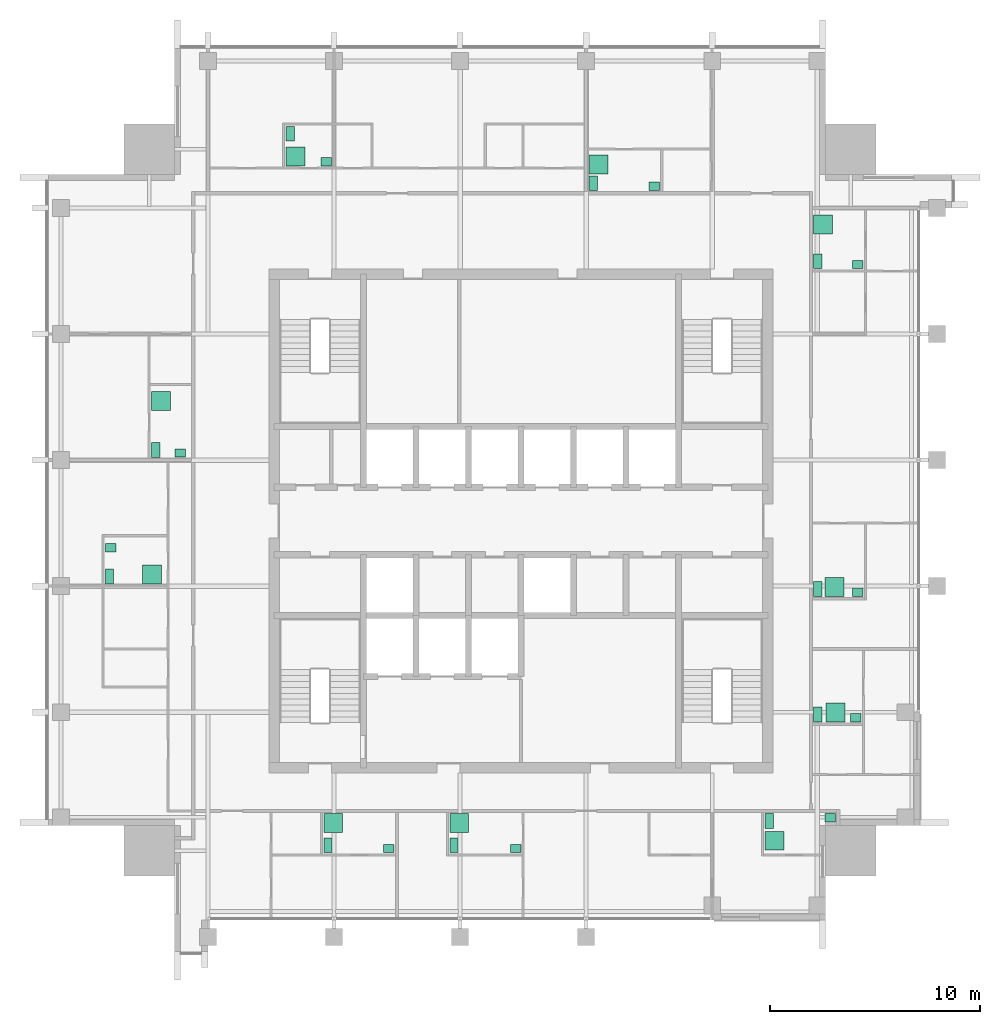
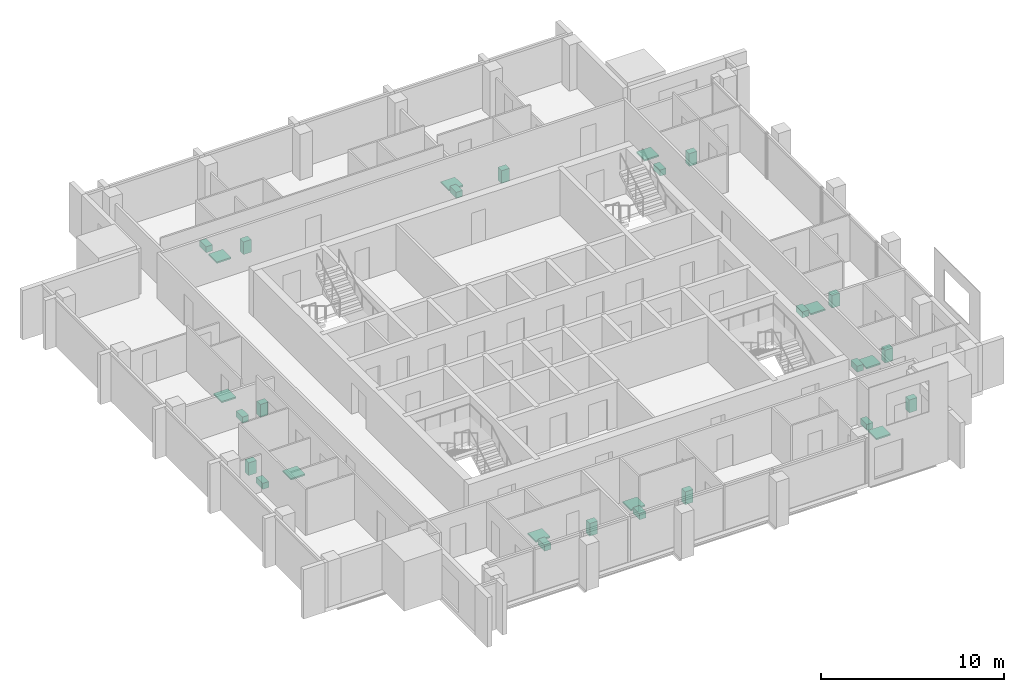
# One storey, part 13 of 13: 30 sanitary terminals.
"""IFC4 building model written with IfcOpenShell, lengths in metres."""

from ifc_helpers import new_model, si_unit, direction, frame, origin, origin_2d, place, context, subcontext, project, spatial, rectangle, extrude, element, save


model = new_model("IFC4")

# Units and contexts
model_context = context("Model", 3, precision=1e-05, world=origin(), true_north=direction((0.0, 1.0)))
body_context = subcontext(model_context, "Body", "Model", "MODEL_VIEW")
ifc_project = project(units=[si_unit("LENGTHUNIT", "METRE"), si_unit("AREAUNIT", "SQUARE_METRE"), si_unit("VOLUMEUNIT", "CUBIC_METRE"), si_unit("PLANEANGLEUNIT", "RADIAN"), si_unit("MASSUNIT", "GRAM", prefix="KILO")], contexts=[model_context])

# Site, building, storey
site_placement = place(None, origin())
site = spatial("IfcSite", under=ifc_project, at=site_placement, CompositionType="ELEMENT")
building_placement = place(site_placement, origin())
building = spatial("IfcBuilding", under=site, at=building_placement, Name="Amberfall Residences", CompositionType="ELEMENT")
storey_placement = place(building_placement, frame((0.0, 0.0, 271.89990234375)))
storey = spatial("IfcBuildingStorey", under=building, at=storey_placement, Name="L73", CompositionType="ELEMENT", Elevation=271.89990234375)

# Sanitary terminals
sanitary_terminal_1_placement = place(storey_placement, frame((65.31005859375, 30.06005859375, 0.000244140625), z_axis=(0.0, 0.0, 1.0), x_axis=(1.0, 0.0, 0.0)))
element("IfcSanitaryTerminal", 1, at=sanitary_terminal_1_placement, inside=storey, Name="Water closet 7301", PredefinedType="TOILETPAN", context=body_context, shape_type="SweptSolid", body=[
    extrude(rectangle(XDim=0.39990234375, YDim=0.699951171875, at=origin_2d()), origin(), (0.0, 0.0, 1.0), 0.39990234375),
])
sanitary_terminal_2_placement = place(storey_placement, frame((68.215087890625, 29.909912109375, 0.0), z_axis=(0.0, 0.0, 1.0), x_axis=(1.0, 0.0, 0.0)))
element("IfcSanitaryTerminal", 2, at=sanitary_terminal_2_placement, inside=storey, Name="Basin 7301", PredefinedType="WASHHANDBASIN", context=body_context, shape_type="SweptSolid", body=[
    extrude(rectangle(XDim=0.5, YDim=0.39990234375, at=origin_2d()), origin(), (0.0, 0.0, 1.0), 0.85009765625),
])
sanitary_terminal_3_placement = place(storey_placement, frame((65.56005859375, 31.114990234375, 0.0), z_axis=(0.0, 0.0, 1.0), x_axis=(1.0, 0.0, 0.0)))
element("IfcSanitaryTerminal", 3, at=sanitary_terminal_3_placement, inside=storey, Name="Shower tray 7301", PredefinedType="SHOWER", context=body_context, shape_type="SweptSolid", body=[
    extrude(rectangle(XDim=0.89990234375, YDim=0.89990234375, at=origin_2d()), origin(), (0.0, 0.0, 1.0), 0.10009765625),
])
sanitary_terminal_4_placement = place(storey_placement, frame((71.31005859375, 30.06005859375, 0.000244140625), z_axis=(0.0, 0.0, 1.0), x_axis=(1.0, 0.0, 0.0)))
element("IfcSanitaryTerminal", 4, at=sanitary_terminal_4_placement, inside=storey, Name="Water closet 7302", PredefinedType="TOILETPAN", context=body_context, shape_type="SweptSolid", body=[
    extrude(rectangle(XDim=0.39990234375, YDim=0.699951171875, at=origin_2d()), origin(), (0.0, 0.0, 1.0), 0.39990234375),
])
sanitary_terminal_5_placement = place(storey_placement, frame((74.239990234375, 29.909912109375, 0.0), z_axis=(0.0, 0.0, 1.0), x_axis=(1.0, 0.0, 0.0)))
element("IfcSanitaryTerminal", 5, at=sanitary_terminal_5_placement, inside=storey, Name="Basin 7302", PredefinedType="WASHHANDBASIN", context=body_context, shape_type="SweptSolid", body=[
    extrude(rectangle(XDim=0.5, YDim=0.39990234375, at=origin_2d()), origin(), (0.0, 0.0, 1.0), 0.85009765625),
])
sanitary_terminal_6_placement = place(storey_placement, frame((71.56005859375, 31.114990234375, 0.0), z_axis=(0.0, 0.0, 1.0), x_axis=(1.0, 0.0, 0.0)))
element("IfcSanitaryTerminal", 6, at=sanitary_terminal_6_placement, inside=storey, Name="Shower tray 7302", PredefinedType="SHOWER", context=body_context, shape_type="SweptSolid", body=[
    extrude(rectangle(XDim=0.89990234375, YDim=0.89990234375, at=origin_2d()), origin(), (0.0, 0.0, 1.0), 0.10009765625),
])
sanitary_terminal_7_placement = place(storey_placement, frame((86.31005859375, 31.215087890625, 0.000244140625), z_axis=(0.0, 0.0, 1.0), x_axis=(1.0, 0.0, 0.0)))
element("IfcSanitaryTerminal", 7, at=sanitary_terminal_7_placement, inside=storey, Name="Water closet 7302", PredefinedType="TOILETPAN", context=body_context, shape_type="SweptSolid", body=[
    extrude(rectangle(XDim=0.39990234375, YDim=0.699951171875, at=origin_2d()), origin(), (0.0, 0.0, 1.0), 0.39990234375),
])
sanitary_terminal_8_placement = place(storey_placement, frame((89.215087890625, 31.364990234375, 0.0), z_axis=(0.0, 0.0, 1.0), x_axis=(1.0, 0.0, 0.0)))
element("IfcSanitaryTerminal", 8, at=sanitary_terminal_8_placement, inside=storey, Name="Basin 7302", PredefinedType="WASHHANDBASIN", context=body_context, shape_type="SweptSolid", body=[
    extrude(rectangle(XDim=0.5, YDim=0.39990234375, at=origin_2d()), origin(), (0.0, 0.0, 1.0), 0.85009765625),
])
sanitary_terminal_9_placement = place(storey_placement, frame((86.56005859375, 30.277587890625, 0.0), z_axis=(0.0, 0.0, 1.0), x_axis=(1.0, 0.0, 0.0)))
element("IfcSanitaryTerminal", 9, at=sanitary_terminal_9_placement, inside=storey, Name="Shower tray 7302", PredefinedType="SHOWER", context=body_context, shape_type="SweptSolid", body=[
    extrude(rectangle(XDim=0.89990234375, YDim=0.89990234375, at=origin_2d()), origin(), (0.0, 0.0, 1.0), 0.10009765625),
])
sanitary_terminal_10_placement = place(storey_placement, frame((88.635009765625, 36.284912109375, 0.000244140625), z_axis=(0.0, 0.0, 1.0), x_axis=(1.0, 0.0, 0.0)))
element("IfcSanitaryTerminal", 10, at=sanitary_terminal_10_placement, inside=storey, Name="Water closet 7303", PredefinedType="TOILETPAN", context=body_context, shape_type="SweptSolid", body=[
    extrude(rectangle(XDim=0.39990234375, YDim=0.699951171875, at=origin_2d()), origin(), (0.0, 0.0, 1.0), 0.39990234375),
])
sanitary_terminal_11_placement = place(storey_placement, frame((90.43994140625, 36.135009765625, 0.0), z_axis=(0.0, 0.0, 1.0), x_axis=(1.0, 0.0, 0.0)))
element("IfcSanitaryTerminal", 11, at=sanitary_terminal_11_placement, inside=storey, Name="Basin 7303", PredefinedType="WASHHANDBASIN", context=body_context, shape_type="SweptSolid", body=[
    extrude(rectangle(XDim=0.5, YDim=0.39990234375, at=origin_2d()), origin(), (0.0, 0.0, 1.0), 0.85009765625),
])
sanitary_terminal_12_placement = place(storey_placement, frame((89.4658203125, 36.385009765625, 0.0), z_axis=(0.0, 0.0, 1.0), x_axis=(1.0, 0.0, 0.0)))
element("IfcSanitaryTerminal", 12, at=sanitary_terminal_12_placement, inside=storey, Name="Shower tray 7303", PredefinedType="SHOWER", context=body_context, shape_type="SweptSolid", body=[
    extrude(rectangle(XDim=0.89990234375, YDim=0.89990234375, at=origin_2d()), origin(), (0.0, 0.0, 1.0), 0.10009765625),
])
sanitary_terminal_13_placement = place(storey_placement, frame((88.635009765625, 42.260009765625, 0.000244140625), z_axis=(0.0, 0.0, 1.0), x_axis=(1.0, 0.0, 0.0)))
element("IfcSanitaryTerminal", 13, at=sanitary_terminal_13_placement, inside=storey, Name="Water closet 7304", PredefinedType="TOILETPAN", context=body_context, shape_type="SweptSolid", body=[
    extrude(rectangle(XDim=0.39990234375, YDim=0.699951171875, at=origin_2d()), origin(), (0.0, 0.0, 1.0), 0.39990234375),
])
sanitary_terminal_14_placement = place(storey_placement, frame((90.5400390625, 42.110107421875, 0.0), z_axis=(0.0, 0.0, 1.0), x_axis=(1.0, 0.0, 0.0)))
element("IfcSanitaryTerminal", 14, at=sanitary_terminal_14_placement, inside=storey, Name="Basin 7304", PredefinedType="WASHHANDBASIN", context=body_context, shape_type="SweptSolid", body=[
    extrude(rectangle(XDim=0.5, YDim=0.39990234375, at=origin_2d()), origin(), (0.0, 0.0, 1.0), 0.85009765625),
])
sanitary_terminal_15_placement = place(storey_placement, frame((89.4306640625, 42.360107421875, 0.0), z_axis=(0.0, 0.0, 1.0), x_axis=(1.0, 0.0, 0.0)))
element("IfcSanitaryTerminal", 15, at=sanitary_terminal_15_placement, inside=storey, Name="Shower tray 7304", PredefinedType="SHOWER", context=body_context, shape_type="SweptSolid", body=[
    extrude(rectangle(XDim=0.89990234375, YDim=0.89990234375, at=origin_2d()), origin(), (0.0, 0.0, 1.0), 0.10009765625),
])
sanitary_terminal_16_placement = place(storey_placement, frame((88.635009765625, 57.860107421875, 0.000244140625), z_axis=(0.0, 0.0, 1.0), x_axis=(1.0, 0.0, 0.0)))
element("IfcSanitaryTerminal", 16, at=sanitary_terminal_16_placement, inside=storey, Name="Water closet 7304", PredefinedType="TOILETPAN", context=body_context, shape_type="SweptSolid", body=[
    extrude(rectangle(XDim=0.39990234375, YDim=0.699951171875, at=origin_2d()), origin(), (0.0, 0.0, 1.0), 0.39990234375),
])
sanitary_terminal_17_placement = place(storey_placement, frame((90.5400390625, 57.7099609375, 0.0), z_axis=(0.0, 0.0, 1.0), x_axis=(1.0, 0.0, 0.0)))
element("IfcSanitaryTerminal", 17, at=sanitary_terminal_17_placement, inside=storey, Name="Basin 7304", PredefinedType="WASHHANDBASIN", context=body_context, shape_type="SweptSolid", body=[
    extrude(rectangle(XDim=0.5, YDim=0.39990234375, at=origin_2d()), origin(), (0.0, 0.0, 1.0), 0.85009765625),
])
sanitary_terminal_18_placement = place(storey_placement, frame((88.885009765625, 59.60888671875, 0.0), z_axis=(0.0, 0.0, 1.0), x_axis=(1.0, 0.0, 0.0)))
element("IfcSanitaryTerminal", 18, at=sanitary_terminal_18_placement, inside=storey, Name="Shower tray 7304", PredefinedType="SHOWER", context=body_context, shape_type="SweptSolid", body=[
    extrude(rectangle(XDim=0.89990234375, YDim=0.89990234375, at=origin_2d()), origin(), (0.0, 0.0, 1.0), 0.10009765625),
])
sanitary_terminal_19_placement = place(storey_placement, frame((63.510009765625, 63.93994140625, 0.000244140625), z_axis=(0.0, 0.0, 1.0), x_axis=(1.0, 0.0, 0.0)))
element("IfcSanitaryTerminal", 19, at=sanitary_terminal_19_placement, inside=storey, Name="Water closet 7305", PredefinedType="TOILETPAN", context=body_context, shape_type="SweptSolid", body=[
    extrude(rectangle(XDim=0.39990234375, YDim=0.699951171875, at=origin_2d()), origin(), (0.0, 0.0, 1.0), 0.39990234375),
])
sanitary_terminal_20_placement = place(storey_placement, frame((65.239990234375, 62.610107421875, 0.0), z_axis=(0.0, 0.0, 1.0), x_axis=(1.0, 0.0, 0.0)))
element("IfcSanitaryTerminal", 20, at=sanitary_terminal_20_placement, inside=storey, Name="Basin 7305", PredefinedType="WASHHANDBASIN", context=body_context, shape_type="SweptSolid", body=[
    extrude(rectangle(XDim=0.5, YDim=0.39990234375, at=origin_2d()), origin(), (0.0, 0.0, 1.0), 0.85009765625),
])
sanitary_terminal_21_placement = place(storey_placement, frame((63.760009765625, 62.860107421875, 0.0), z_axis=(0.0, 0.0, 1.0), x_axis=(1.0, 0.0, 0.0)))
element("IfcSanitaryTerminal", 21, at=sanitary_terminal_21_placement, inside=storey, Name="Shower tray 7305", PredefinedType="SHOWER", context=body_context, shape_type="SweptSolid", body=[
    extrude(rectangle(XDim=0.89990234375, YDim=0.89990234375, at=origin_2d()), origin(), (0.0, 0.0, 1.0), 0.10009765625),
])
sanitary_terminal_22_placement = place(storey_placement, frame((77.93505859375, 61.5849609375, 0.000244140625), z_axis=(0.0, 0.0, 1.0), x_axis=(1.0, 0.0, 0.0)))
element("IfcSanitaryTerminal", 22, at=sanitary_terminal_22_placement, inside=storey, Name="Water closet 7306", PredefinedType="TOILETPAN", context=body_context, shape_type="SweptSolid", body=[
    extrude(rectangle(XDim=0.39990234375, YDim=0.699951171875, at=origin_2d()), origin(), (0.0, 0.0, 1.0), 0.39990234375),
])
sanitary_terminal_23_placement = place(storey_placement, frame((80.840087890625, 61.43505859375, 0.0), z_axis=(0.0, 0.0, 1.0), x_axis=(1.0, 0.0, 0.0)))
element("IfcSanitaryTerminal", 23, at=sanitary_terminal_23_placement, inside=storey, Name="Basin 7306", PredefinedType="WASHHANDBASIN", context=body_context, shape_type="SweptSolid", body=[
    extrude(rectangle(XDim=0.5, YDim=0.39990234375, at=origin_2d()), origin(), (0.0, 0.0, 1.0), 0.85009765625),
])
sanitary_terminal_24_placement = place(storey_placement, frame((78.18505859375, 62.480712890625, 0.0), z_axis=(0.0, 0.0, 1.0), x_axis=(1.0, 0.0, 0.0)))
element("IfcSanitaryTerminal", 24, at=sanitary_terminal_24_placement, inside=storey, Name="Shower tray 7306", PredefinedType="SHOWER", context=body_context, shape_type="SweptSolid", body=[
    extrude(rectangle(XDim=0.89990234375, YDim=0.89990234375, at=origin_2d()), origin(), (0.0, 0.0, 1.0), 0.10009765625),
])
sanitary_terminal_25_placement = place(storey_placement, frame((54.909912109375, 42.860107421875, 0.000244140625), z_axis=(0.0, 0.0, 1.0), x_axis=(1.0, 0.0, 0.0)))
element("IfcSanitaryTerminal", 25, at=sanitary_terminal_25_placement, inside=storey, Name="Water closet 7307", PredefinedType="TOILETPAN", context=body_context, shape_type="SweptSolid", body=[
    extrude(rectangle(XDim=0.39990234375, YDim=0.699951171875, at=origin_2d()), origin(), (0.0, 0.0, 1.0), 0.39990234375),
])
sanitary_terminal_26_placement = place(storey_placement, frame((54.9599609375, 44.235595703125, 0.0), z_axis=(0.0, 0.0, 1.0), x_axis=(1.0, 0.0, 0.0)))
element("IfcSanitaryTerminal", 26, at=sanitary_terminal_26_placement, inside=storey, Name="Basin 7307", PredefinedType="WASHHANDBASIN", context=body_context, shape_type="SweptSolid", body=[
    extrude(rectangle(XDim=0.5, YDim=0.39990234375, at=origin_2d()), origin(), (0.0, 0.0, 1.0), 0.85009765625),
])
sanitary_terminal_27_placement = place(storey_placement, frame((56.94189453125, 42.9599609375, 0.0), z_axis=(0.0, 0.0, 1.0), x_axis=(1.0, 0.0, 0.0)))
element("IfcSanitaryTerminal", 27, at=sanitary_terminal_27_placement, inside=storey, Name="Shower tray 7307", PredefinedType="SHOWER", context=body_context, shape_type="SweptSolid", body=[
    extrude(rectangle(XDim=0.89990234375, YDim=0.89990234375, at=origin_2d()), origin(), (0.0, 0.0, 1.0), 0.10009765625),
])
sanitary_terminal_28_placement = place(storey_placement, frame((57.110107421875, 48.885009765625, 0.000244140625), z_axis=(0.0, 0.0, 1.0), x_axis=(1.0, 0.0, 0.0)))
element("IfcSanitaryTerminal", 28, at=sanitary_terminal_28_placement, inside=storey, Name="Water closet 7308", PredefinedType="TOILETPAN", context=body_context, shape_type="SweptSolid", body=[
    extrude(rectangle(XDim=0.39990234375, YDim=0.699951171875, at=origin_2d()), origin(), (0.0, 0.0, 1.0), 0.39990234375),
])
sanitary_terminal_29_placement = place(storey_placement, frame((58.2890625, 48.735107421875, 0.0), z_axis=(0.0, 0.0, 1.0), x_axis=(1.0, 0.0, 0.0)))
element("IfcSanitaryTerminal", 29, at=sanitary_terminal_29_placement, inside=storey, Name="Basin 7308", PredefinedType="WASHHANDBASIN", context=body_context, shape_type="SweptSolid", body=[
    extrude(rectangle(XDim=0.5, YDim=0.39990234375, at=origin_2d()), origin(), (0.0, 0.0, 1.0), 0.85009765625),
])
sanitary_terminal_30_placement = place(storey_placement, frame((57.360107421875, 51.216796875, 0.0), z_axis=(0.0, 0.0, 1.0), x_axis=(1.0, 0.0, 0.0)))
element("IfcSanitaryTerminal", 30, at=sanitary_terminal_30_placement, inside=storey, Name="Shower tray 7308", PredefinedType="SHOWER", context=body_context, shape_type="SweptSolid", body=[
    extrude(rectangle(XDim=0.89990234375, YDim=0.89990234375, at=origin_2d()), origin(), (0.0, 0.0, 1.0), 0.10009765625),
])

save(model, "model.ifc")
